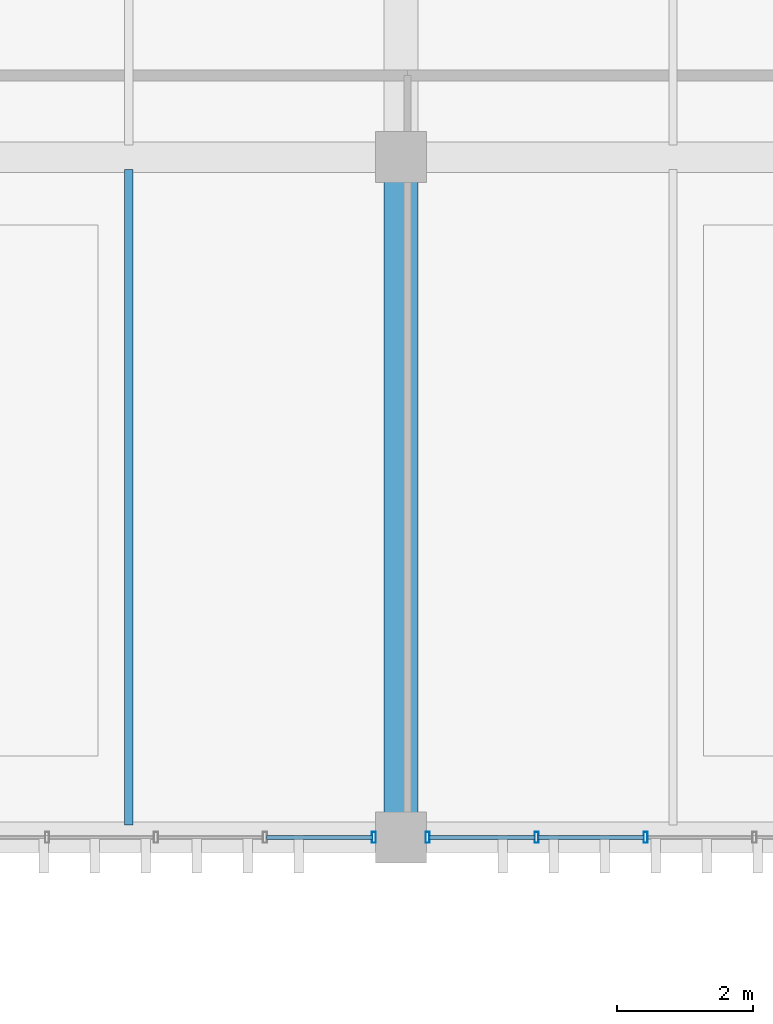
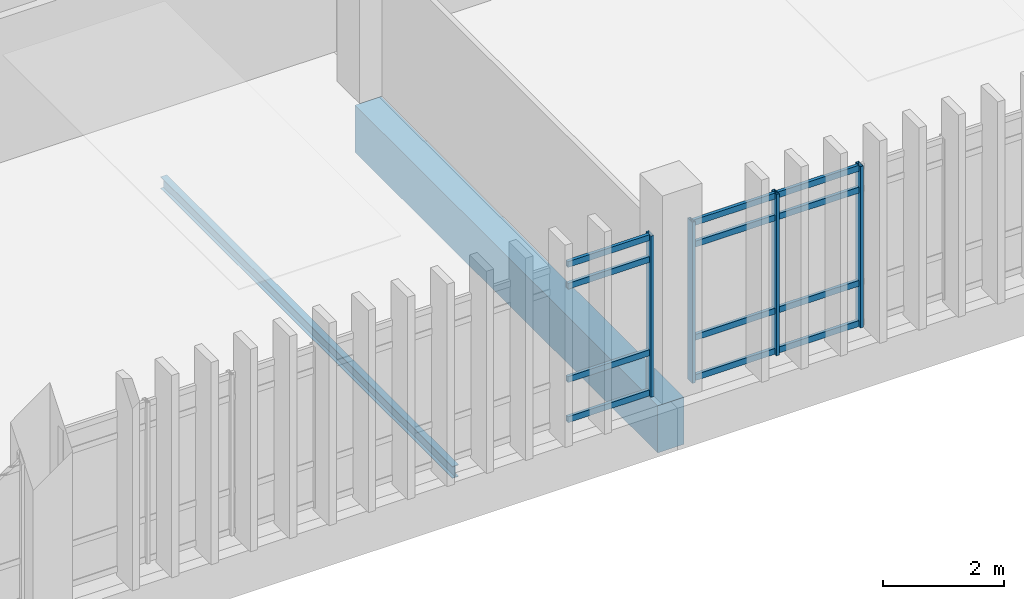
# One storey, part 27 of 111: 16 members, 2 beams, 2 elements without a shape of their own.
"""IFC4 building model written with IfcOpenShell, lengths in metres."""

from ifc_helpers import new_model, si_unit, direction, frame, origin, origin_2d, place, context, subcontext, project, spatial, rectangle, hollow_rectangle, i_section, extrude, material, layer, layer_set, material_profile, profile_set, type_object, element, aggregate, save


model = new_model("IFC4")

# Units and contexts
model_context = context("Model", 3, precision=1e-05, world=origin(), true_north=direction((0.0, 1.0)))
body_context = subcontext(model_context, "Body", "Model", "MODEL_VIEW")
ifc_project = project(units=[si_unit("LENGTHUNIT", "METRE"), si_unit("AREAUNIT", "SQUARE_METRE"), si_unit("VOLUMEUNIT", "CUBIC_METRE"), si_unit("PLANEANGLEUNIT", "RADIAN"), si_unit("MASSUNIT", "GRAM", prefix="KILO")], contexts=[model_context])

# Site, building, storey
site_placement = place(None, origin())
site = spatial("IfcSite", under=ifc_project, at=site_placement, CompositionType="ELEMENT")
building_placement = place(site_placement, origin())
building = spatial("IfcBuilding", under=site, at=building_placement, Name="Mersad Railyard Sports Hall", CompositionType="ELEMENT")
storey_placement = place(building_placement, frame((0.0, 0.0, 9.0)))
storey = spatial("IfcBuildingStorey", under=building, at=storey_placement, Name="L02", CompositionType="ELEMENT", Elevation=9.0)

# Curtain wall, member
ifc_material_1 = material(Name="Aluminium 6063-T6", Category="aluminium")
ifc_layer = layer(ifc_material_1, 0.159912109375)
ifc_layer_set = layer_set([ifc_layer], Name="Aluminium 6063-T6")
curtain_wall_type = type_object("IfcCurtainWallType", Name="ARC-CW-CW54", PredefinedType="USERDEFINED", material=ifc_layer_set)
curtain_wall_1_placement = place(storey_placement, origin())
curtain_wall_1 = element("IfcCurtainWall", 1, at=curtain_wall_1_placement, inside=storey, type_object=curtain_wall_type, Name="Curtain wall CW54-0144", ObjectType="CURTAIN WALL", PredefinedType="USERDEFINED")
ifc_material_profile_1 = material_profile(ifc_material_1, hollow_rectangle(XDim=0.06005859375, YDim=0.159912109375, WallThickness=0.00390625, at=origin_2d()), Name="AL MULLION 60x160x4")
ifc_profile_set_1 = profile_set([ifc_material_profile_1], Name="Aluminium 6063-T6")
member_type_1 = type_object("IfcMemberType", Name="ARC-CW-MUL01", PredefinedType="MULLION", material=ifc_profile_set_1)
member_1_placement = place(storey_placement, frame((66.60498046875, 85.0, -0.02001953125), z_axis=(0.0, 0.0, 1.0), x_axis=(1.0, 0.0, 0.0)))
member_1 = element("IfcMember", 2, at=member_1_placement, type_object=member_type_1, Name="CW54 Mullion 1", PredefinedType="MULLION", context=body_context, shape_type="SweptSolid", body=[
    extrude(hollow_rectangle(XDim=0.06005859375, YDim=0.159912109375, WallThickness=0.00390625, at=origin_2d()), origin(), (0.0, 0.0, 1.0), 3.25),
])

# Curtain wall, members
curtain_wall_2_placement = place(storey_placement, origin())
curtain_wall_2 = element("IfcCurtainWall", 3, at=curtain_wall_2_placement, inside=storey, type_object=curtain_wall_type, Name="Curtain wall CW54-0145", ObjectType="CURTAIN WALL", PredefinedType="USERDEFINED")
member_2_placement = place(storey_placement, frame((70.597900390625, 85.0, -0.02001953125), z_axis=(0.0, 0.0, 1.0), x_axis=(1.0, 0.0, 0.0)))
member_2 = element("IfcMember", 4, at=member_2_placement, type_object=member_type_1, Name="CW54 Mullion 6", PredefinedType="MULLION", context=body_context, shape_type="SweptSolid", body=[
    extrude(hollow_rectangle(XDim=0.06005859375, YDim=0.159912109375, WallThickness=0.00390625, at=origin_2d()), origin(), (0.0, 0.0, 1.0), 3.25),
])
member_3_placement = place(storey_placement, frame((68.996337890625, 85.0, -0.02001953125), z_axis=(0.0, 0.0, 1.0), x_axis=(1.0, 0.0, 0.0)))
member_3 = element("IfcMember", 5, at=member_3_placement, type_object=member_type_1, Name="CW54 Mullion 7", PredefinedType="MULLION", context=body_context, shape_type="SweptSolid", body=[
    extrude(hollow_rectangle(XDim=0.06005859375, YDim=0.159912109375, WallThickness=0.00390625, at=origin_2d()), origin(), (0.0, 0.0, 1.0), 3.25),
])
member_4_placement = place(storey_placement, frame((67.39501953125, 85.0, -0.02001953125), z_axis=(0.0, 0.0, 1.0), x_axis=(1.0, 0.0, 0.0)))
member_4 = element("IfcMember", 6, at=member_4_placement, type_object=member_type_1, Name="CW54 Mullion 8", PredefinedType="MULLION", context=body_context, shape_type="SweptSolid", body=[
    extrude(hollow_rectangle(XDim=0.06005859375, YDim=0.159912109375, WallThickness=0.00390625, at=origin_2d()), origin(), (0.0, 0.0, 1.0), 3.25),
])

# Member
ifc_material_profile_2 = material_profile(ifc_material_1, hollow_rectangle(XDim=0.06005859375, YDim=0.1201171875, WallThickness=0.00390625, at=origin_2d()), Name="AL TRANSOM 60x120x4")
ifc_profile_set_2 = profile_set([ifc_material_profile_2], Name="Aluminium 6063-T6")
member_type_2 = type_object("IfcMemberType", Name="ARC-CW-TRN01", PredefinedType="USERDEFINED", material=ifc_profile_set_2)
member_5_placement = place(storey_placement, frame((66.5849609375, 85.0, 0.0400390625), z_axis=(-1.0, 0.0, 0.0), x_axis=(0.0, -1.0, 0.0)))
member_5 = element("IfcMember", 7, at=member_5_placement, type_object=member_type_2, Name="CW54 Transom 1-1", ObjectType="TRANSOM", PredefinedType="USERDEFINED", context=body_context, shape_type="SweptSolid", body=[
    extrude(hollow_rectangle(XDim=0.06005859375, YDim=0.1201171875, WallThickness=0.00390625, at=origin_2d()), origin(), (0.0, 0.0, 1.0), 1.561279296875),
])

member_6_placement = place(storey_placement, frame((66.5849609375, 85.0, 0.85009765625), z_axis=(-1.0, 0.0, 0.0), x_axis=(0.0, -1.0, 0.0)))
member_6 = element("IfcMember", 8, at=member_6_placement, type_object=member_type_2, Name="CW54 Transom 2-1", ObjectType="TRANSOM", PredefinedType="USERDEFINED", context=body_context, shape_type="SweptSolid", body=[
    extrude(hollow_rectangle(XDim=0.06005859375, YDim=0.1201171875, WallThickness=0.00390625, at=origin_2d()), origin(), (0.0, 0.0, 1.0), 1.561279296875),
])

member_7_placement = place(storey_placement, frame((66.5849609375, 85.0, 2.72998046875), z_axis=(-1.0, 0.0, 0.0), x_axis=(0.0, -1.0, 0.0)))
member_7 = element("IfcMember", 9, at=member_7_placement, type_object=member_type_2, Name="CW54 Transom 3-1", ObjectType="TRANSOM", PredefinedType="USERDEFINED", context=body_context, shape_type="SweptSolid", body=[
    extrude(hollow_rectangle(XDim=0.06005859375, YDim=0.1201171875, WallThickness=0.00390625, at=origin_2d()), origin(), (0.0, 0.0, 1.0), 1.561279296875),
])

member_8_placement = place(storey_placement, frame((66.5849609375, 85.0, 3.169921875), z_axis=(-1.0, 0.0, 0.0), x_axis=(0.0, -1.0, 0.0)))
member_8 = element("IfcMember", 10, at=member_8_placement, type_object=member_type_2, Name="CW54 Transom 4-1", ObjectType="TRANSOM", PredefinedType="USERDEFINED", context=body_context, shape_type="SweptSolid", body=[
    extrude(hollow_rectangle(XDim=0.06005859375, YDim=0.1201171875, WallThickness=0.00390625, at=origin_2d()), origin(), (0.0, 0.0, 1.0), 1.561279296875),
])

aggregate(curtain_wall_1, [member_1, member_5, member_6, member_7, member_8])

member_9_placement = place(storey_placement, frame((70.577880859375, 85.0, 0.0400390625), z_axis=(-1.0, 0.0, 0.0), x_axis=(0.0, -1.0, 0.0)))
member_9 = element("IfcMember", 11, at=member_9_placement, type_object=member_type_2, Name="CW54 Transom 1-6", ObjectType="TRANSOM", PredefinedType="USERDEFINED", context=body_context, shape_type="SweptSolid", body=[
    extrude(hollow_rectangle(XDim=0.06005859375, YDim=0.1201171875, WallThickness=0.00390625, at=origin_2d()), origin(), (0.0, 0.0, 1.0), 1.5615234375),
])

member_10_placement = place(storey_placement, frame((68.976318359375, 85.0, 0.0400390625), z_axis=(-1.0, 0.0, 0.0), x_axis=(0.0, -1.0, 0.0)))
member_10 = element("IfcMember", 12, at=member_10_placement, type_object=member_type_2, Name="CW54 Transom 1-7", ObjectType="TRANSOM", PredefinedType="USERDEFINED", context=body_context, shape_type="SweptSolid", body=[
    extrude(hollow_rectangle(XDim=0.06005859375, YDim=0.1201171875, WallThickness=0.00390625, at=origin_2d()), origin(), (0.0, 0.0, 1.0), 1.561279296875),
])

member_11_placement = place(storey_placement, frame((70.577880859375, 85.0, 0.85009765625), z_axis=(-1.0, 0.0, 0.0), x_axis=(0.0, -1.0, 0.0)))
member_11 = element("IfcMember", 13, at=member_11_placement, type_object=member_type_2, Name="CW54 Transom 2-6", ObjectType="TRANSOM", PredefinedType="USERDEFINED", context=body_context, shape_type="SweptSolid", body=[
    extrude(hollow_rectangle(XDim=0.06005859375, YDim=0.1201171875, WallThickness=0.00390625, at=origin_2d()), origin(), (0.0, 0.0, 1.0), 1.5615234375),
])

member_12_placement = place(storey_placement, frame((68.976318359375, 85.0, 0.85009765625), z_axis=(-1.0, 0.0, 0.0), x_axis=(0.0, -1.0, 0.0)))
member_12 = element("IfcMember", 14, at=member_12_placement, type_object=member_type_2, Name="CW54 Transom 2-7", ObjectType="TRANSOM", PredefinedType="USERDEFINED", context=body_context, shape_type="SweptSolid", body=[
    extrude(hollow_rectangle(XDim=0.06005859375, YDim=0.1201171875, WallThickness=0.00390625, at=origin_2d()), origin(), (0.0, 0.0, 1.0), 1.561279296875),
])

member_13_placement = place(storey_placement, frame((70.577880859375, 85.0, 2.72998046875), z_axis=(-1.0, 0.0, 0.0), x_axis=(0.0, -1.0, 0.0)))
member_13 = element("IfcMember", 15, at=member_13_placement, type_object=member_type_2, Name="CW54 Transom 3-6", ObjectType="TRANSOM", PredefinedType="USERDEFINED", context=body_context, shape_type="SweptSolid", body=[
    extrude(hollow_rectangle(XDim=0.06005859375, YDim=0.1201171875, WallThickness=0.00390625, at=origin_2d()), origin(), (0.0, 0.0, 1.0), 1.5615234375),
])

member_14_placement = place(storey_placement, frame((68.976318359375, 85.0, 2.72998046875), z_axis=(-1.0, 0.0, 0.0), x_axis=(0.0, -1.0, 0.0)))
member_14 = element("IfcMember", 16, at=member_14_placement, type_object=member_type_2, Name="CW54 Transom 3-7", ObjectType="TRANSOM", PredefinedType="USERDEFINED", context=body_context, shape_type="SweptSolid", body=[
    extrude(hollow_rectangle(XDim=0.06005859375, YDim=0.1201171875, WallThickness=0.00390625, at=origin_2d()), origin(), (0.0, 0.0, 1.0), 1.561279296875),
])

member_15_placement = place(storey_placement, frame((70.577880859375, 85.0, 3.169921875), z_axis=(-1.0, 0.0, 0.0), x_axis=(0.0, -1.0, 0.0)))
member_15 = element("IfcMember", 17, at=member_15_placement, type_object=member_type_2, Name="CW54 Transom 4-6", ObjectType="TRANSOM", PredefinedType="USERDEFINED", context=body_context, shape_type="SweptSolid", body=[
    extrude(hollow_rectangle(XDim=0.06005859375, YDim=0.1201171875, WallThickness=0.00390625, at=origin_2d()), origin(), (0.0, 0.0, 1.0), 1.5615234375),
])

member_16_placement = place(storey_placement, frame((68.976318359375, 85.0, 3.169921875), z_axis=(-1.0, 0.0, 0.0), x_axis=(0.0, -1.0, 0.0)))
member_16 = element("IfcMember", 18, at=member_16_placement, type_object=member_type_2, Name="CW54 Transom 4-7", ObjectType="TRANSOM", PredefinedType="USERDEFINED", context=body_context, shape_type="SweptSolid", body=[
    extrude(hollow_rectangle(XDim=0.06005859375, YDim=0.1201171875, WallThickness=0.00390625, at=origin_2d()), origin(), (0.0, 0.0, 1.0), 1.561279296875),
])

aggregate(curtain_wall_2, [member_2, member_3, member_4, member_9, member_10, member_11, member_12, member_13, member_14, member_15, member_16])

# Beams
ifc_material_2 = material(Name="Concrete C50/60", Category="concrete")
ifc_material_profile_3 = material_profile(ifc_material_2, rectangle(XDim=0.5, YDim=0.949951171875, at=origin_2d()), Name="RC 500x950")
ifc_profile_set_3 = profile_set([ifc_material_profile_3], Name="Concrete C50/60")
beam_type_1 = type_object("IfcBeamType", Name="STR-BM-B03", PredefinedType="BEAM", material=ifc_profile_set_3)
beam_1_placement = place(storey_placement, frame((67.0, 85.0, -0.77490234375), z_axis=(0.0, 1.0, 0.0), x_axis=(-1.0, 0.0, 0.0)))
element("IfcBeam", 19, at=beam_1_placement, inside=storey, type_object=beam_type_1, Name="Beam B03-1103", PredefinedType="BEAM", context=body_context, shape_type="SweptSolid", body=[
    extrude(rectangle(XDim=0.5, YDim=0.949951171875, at=origin_2d()), origin(), (0.0, 0.0, 1.0), 10.0),
])
ifc_material_3 = material(Name="Steel S355", Category="steel")
ifc_material_profile_4 = material_profile(ifc_material_3, i_section(OverallWidth=0.1201171875, OverallDepth=0.239990234375, WebThickness=0.006103515625, FlangeThickness=0.009765625, at=origin_2d()), Name="IPE 240")
ifc_profile_set_4 = profile_set([ifc_material_profile_4], Name="Steel S355")
beam_type_2 = type_object("IfcBeamType", Name="STR-BM-SB03", PredefinedType="BEAM", material=ifc_profile_set_4)
beam_2_placement = place(storey_placement, frame((63.0, 85.179931640625, -0.419921875), z_axis=(0.0, 1.0, 0.0), x_axis=(-1.0, 0.0, 0.0)))
element("IfcBeam", 20, at=beam_2_placement, inside=storey, type_object=beam_type_2, Name="Beam SB03-1156", PredefinedType="BEAM", context=body_context, shape_type="SweptSolid", body=[
    extrude(i_section(OverallWidth=0.1201171875, OverallDepth=0.239990234375, WebThickness=0.006103515625, FlangeThickness=0.009765625, at=origin_2d()), origin(), (0.0, 0.0, 1.0), 9.64013671875),
])

save(model, "model.ifc")
